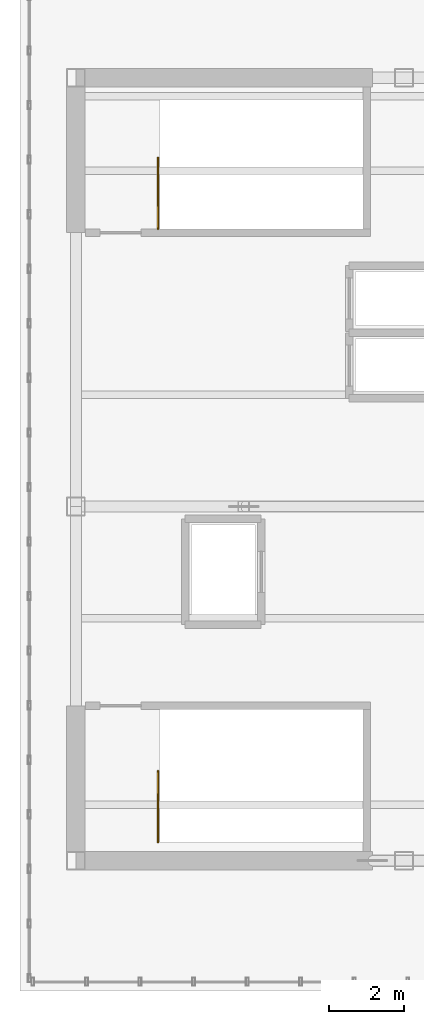
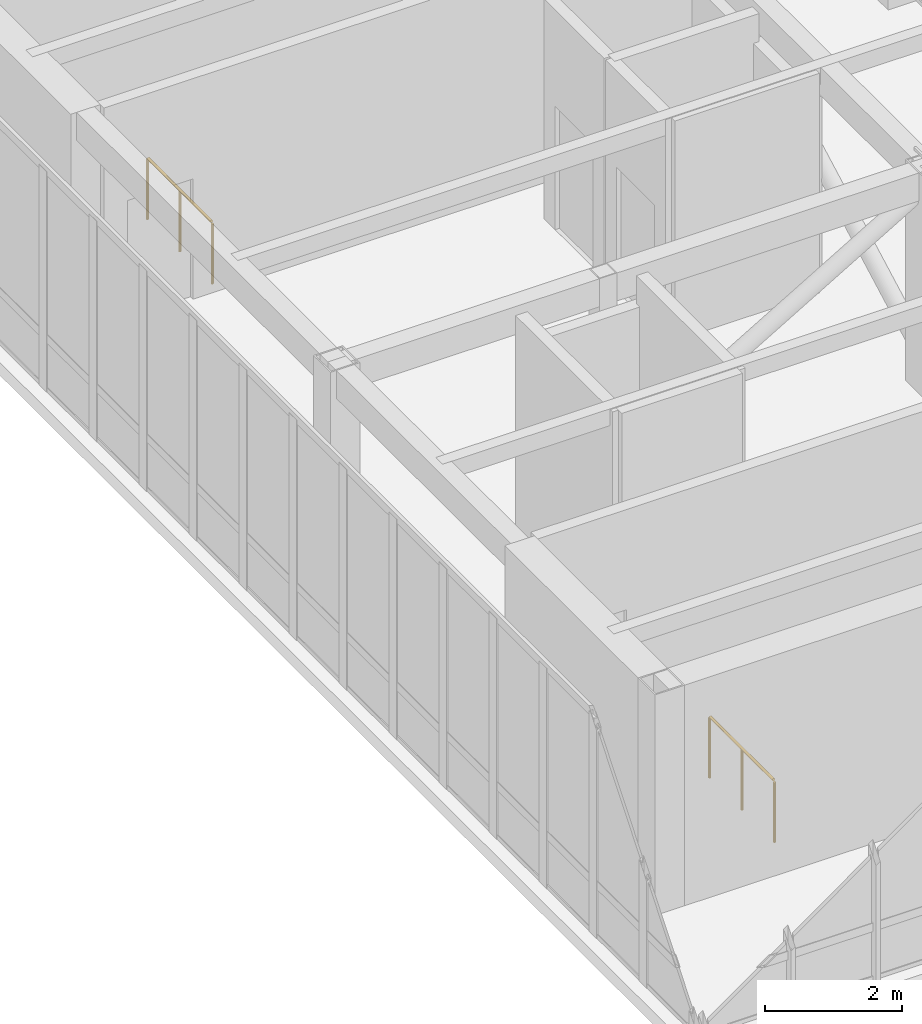
# One storey, part 13 of 13: 2 railings.
"""IFC4 building model written with IfcOpenShell, lengths in metres."""

from ifc_helpers import new_model, si_unit, direction, frame, origin, origin_2d, place, context, subcontext, project, spatial, circle, extrude, source, transform, mapped, material, layer, layer_set, type_object, element, save


model = new_model("IFC4")

# Units and contexts
model_context = context("Model", 3, precision=1e-05, world=origin(), true_north=direction((0.0, 1.0)))
body_context = subcontext(model_context, "Body", "Model", "MODEL_VIEW")
ifc_project = project(units=[si_unit("LENGTHUNIT", "METRE"), si_unit("AREAUNIT", "SQUARE_METRE"), si_unit("VOLUMEUNIT", "CUBIC_METRE"), si_unit("PLANEANGLEUNIT", "RADIAN"), si_unit("MASSUNIT", "GRAM", prefix="KILO")], contexts=[model_context])

# Site, building, storey
site_placement = place(None, origin())
site = spatial("IfcSite", under=ifc_project, at=site_placement, CompositionType="ELEMENT")
building_placement = place(site_placement, origin())
building = spatial("IfcBuilding", under=site, at=building_placement, Name="Kharzan Plaza Tower", CompositionType="ELEMENT")
storey_placement = place(building_placement, frame((0.0, 0.0, 298.199951171875)))
storey = spatial("IfcBuildingStorey", under=building, at=storey_placement, Name="L80-CROWN", CompositionType="ELEMENT", Elevation=298.199951171875)

# Railings
ifc_material = material(Name="Painted Galvanized Architectural Steel", Category="steel")
ifc_layer = layer(ifc_material, 0.074951171875)
ifc_layer_set = layer_set([ifc_layer], Name="Painted Galvanized Architectural Steel")
railing_type = type_object("IfcRailingType", Name="RL-GUARD-1120", PredefinedType="BALUSTRADE", material=ifc_layer_set)
shared_shape_1 = source(origin(), body_context, "Body", "SweptSolid", [
    extrude(circle(Radius=0.02392578125, at=origin_2d()), frame((0.0, 0.0263671875, 1.09619140625), z_axis=(0.0, 1.0, 0.0), x_axis=(-1.0, 0.0, 0.0)), (0.0, 0.0, 1.0), 1.846923828125),
    extrude(circle(Radius=0.02099609375, at=origin_2d()), origin(), (0.0, 0.0, 1.0), 1.072021484375),
    extrude(circle(Radius=0.02099609375, at=origin_2d()), frame((0.0, 0.949951171875, 0.0)), (0.0, 0.0, 1.0), 1.072021484375),
    extrude(circle(Radius=0.02099609375, at=origin_2d()), frame((0.0, 1.89990234375, 0.0)), (0.0, 0.0, 1.0), 1.072021484375),
])
railing_1_placement = place(storey_placement, frame((6.699951171875, 9.0, 0.0)))
element("IfcRailing", 1, at=railing_1_placement, inside=storey, type_object=railing_type, Name="L80-CROWN ST-1 top well guard 1", PredefinedType="BALUSTRADE", context=body_context, shape_type="MappedRepresentation", body=[
    mapped(shared_shape_1, transform((0.0, 0.0, 0.0), x_axis=(1.0, 0.0, 0.0), y_axis=(0.0, 1.0, 0.0), z_axis=(0.0, 0.0, 1.0))),
])
shared_shape_2 = source(origin(), body_context, "Body", "SweptSolid", [
    extrude(circle(Radius=0.02392578125, at=origin_2d()), frame((0.0, 0.0263671875, 1.09619140625), z_axis=(0.0, 1.0, 0.0), x_axis=(-1.0, 0.0, 0.0)), (0.0, 0.0, 1.0), 1.84716796875),
    extrude(circle(Radius=0.02099609375, at=origin_2d()), origin(), (0.0, 0.0, 1.0), 1.072021484375),
    extrude(circle(Radius=0.02099609375, at=origin_2d()), frame((0.0, 0.9501953125, 0.0)), (0.0, 0.0, 1.0), 1.072021484375),
    extrude(circle(Radius=0.02099609375, at=origin_2d()), frame((0.0, 1.900146484375, 0.0)), (0.0, 0.0, 1.0), 1.072021484375),
])
railing_2_placement = place(storey_placement, frame((6.699951171875, 25.449951171875, 0.0)))
element("IfcRailing", 2, at=railing_2_placement, inside=storey, type_object=railing_type, Name="L80-CROWN ST-2 top well guard 1", PredefinedType="BALUSTRADE", context=body_context, shape_type="MappedRepresentation", body=[
    mapped(shared_shape_2, transform((0.0, 0.0, 0.0), x_axis=(1.0, 0.0, 0.0), y_axis=(0.0, 1.0, 0.0), z_axis=(0.0, 0.0, 1.0))),
])

save(model, "model.ifc")
